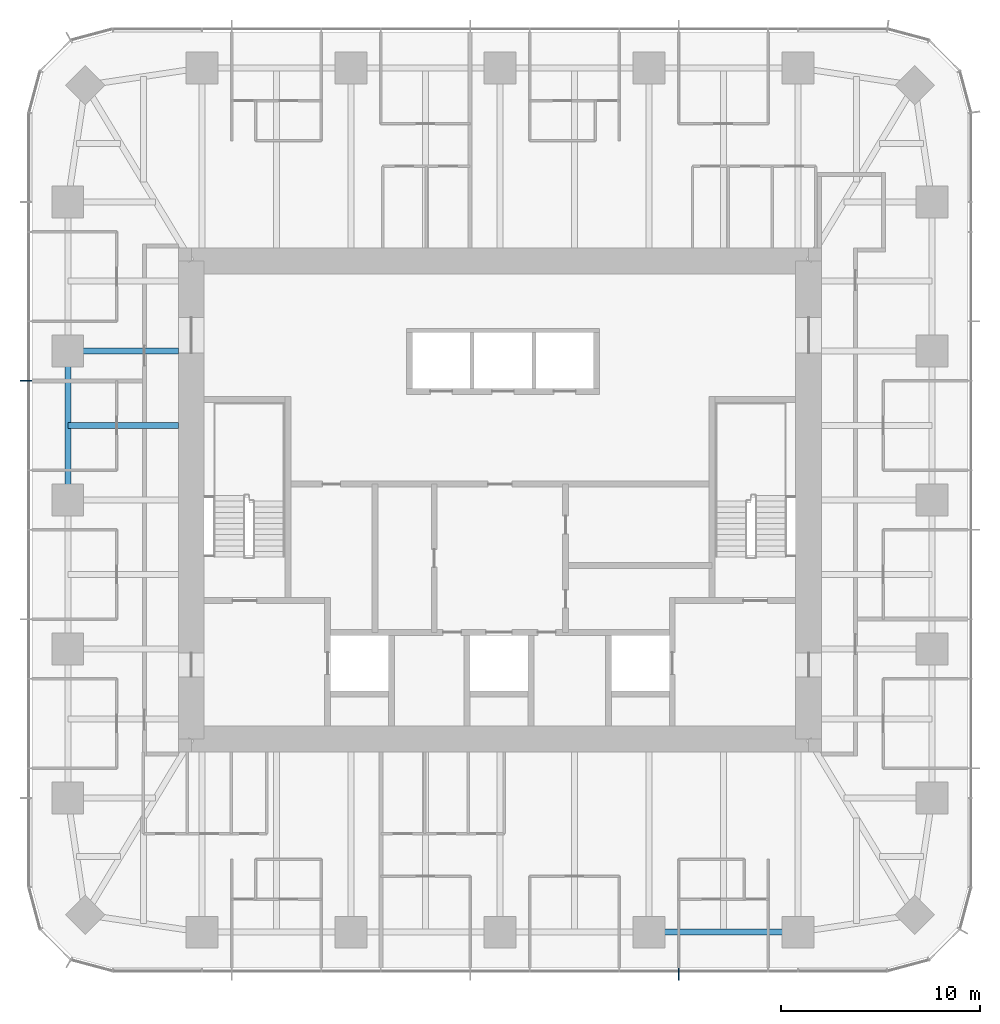
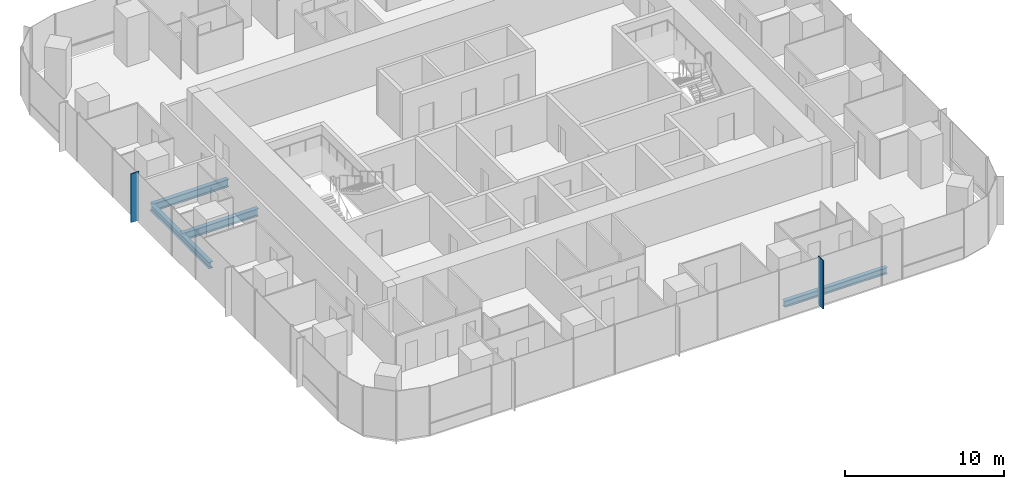
# One storey, part 3 of 12: 4 beams, 2 members, 2 elements without a shape of their own.
"""IFC4 building model written with IfcOpenShell, lengths in metres."""

from ifc_helpers import new_model, si_unit, direction, frame, origin, origin_2d, place, context, subcontext, project, spatial, rectangle, i_section, extrude, material, material_profile, profile_set, type_object, element, aggregate, save


model = new_model("IFC4")

# Units and contexts
model_context = context("Model", 3, precision=1e-05, world=origin(), true_north=direction((0.0, 1.0)))
body_context = subcontext(model_context, "Body", "Model", "MODEL_VIEW")
ifc_project = project(units=[si_unit("LENGTHUNIT", "METRE"), si_unit("AREAUNIT", "SQUARE_METRE"), si_unit("VOLUMEUNIT", "CUBIC_METRE"), si_unit("PLANEANGLEUNIT", "RADIAN"), si_unit("MASSUNIT", "GRAM", prefix="KILO")], contexts=[model_context])

# Site, building, storey
site_placement = place(None, origin())
site = spatial("IfcSite", under=ifc_project, at=site_placement, CompositionType="ELEMENT")
building_placement = place(site_placement, origin())
building = spatial("IfcBuilding", under=site, at=building_placement, Name="Khuree Lantern Residences", CompositionType="ELEMENT")
storey_placement = place(building_placement, frame((0.0, 0.0, 304.5)))
storey = spatial("IfcBuildingStorey", under=building, at=storey_placement, Name="L76", CompositionType="ELEMENT", Elevation=304.5)

# Beams
ifc_material_1 = material(Name="Steel S355", Category="steel")
ifc_material_profile_1 = material_profile(ifc_material_1, i_section(OverallWidth=0.300048828125, OverallDepth=0.590087890625, WebThickness=0.012939453125, FlangeThickness=0.02490234375, FilletRadius=0.027099609375, at=origin_2d()), Name="HE 600 A")
ifc_profile_set_1 = profile_set([ifc_material_profile_1], Name="Steel S355")
beam_type_1 = type_object("IfcBeamType", Name="B-42 SECONDARY BEAM HE 600 A", PredefinedType="BEAM", material=ifc_profile_set_1)
beam_1_placement = place(storey_placement, frame((-21.699951171875, 3.739990234375, -0.544921875), z_axis=(1.0, 0.0, 0.0), x_axis=(0.0, 1.0, 0.0)))
element("IfcBeam", 1, at=beam_1_placement, inside=storey, type_object=beam_type_1, Name="Secondary beam W4", PredefinedType="BEAM", context=body_context, shape_type="SweptSolid", body=[
    extrude(i_section(OverallWidth=0.300048828125, OverallDepth=0.590087890625, WebThickness=0.012939453125, FlangeThickness=0.02490234375, FilletRadius=0.027099609375, at=origin_2d()), origin(), (0.0, 0.0, 1.0), 5.550048828125),
])
ifc_material_profile_2 = material_profile(ifc_material_1, i_section(OverallWidth=0.300048828125, OverallDepth=0.489990234375, WebThickness=0.011962890625, FlangeThickness=0.02294921875, FilletRadius=0.027099609375, at=origin_2d()), Name="HE 500 A")
ifc_profile_set_2 = profile_set([ifc_material_profile_2], Name="Steel S355")
beam_type_2 = type_object("IfcBeamType", Name="E-42 SPANDREL BEAM HE 500 A", PredefinedType="SPANDREL", material=ifc_profile_set_2)
for number, where, z_axis, x_axis, name in (
    (2, (14.9599609375, -21.699951171875, -0.4951171875), (-1.0, 0.0, 0.0), (0.0, -1.0, 0.0), "Spandrel beam S2"),
    (3, (-21.699951171875, 0.0, -0.4951171875), (0.0, 1.0, 0.0), (-1.0, 0.0, 0.0), "Spandrel beam W4"),
):
    element("IfcBeam", number, at=place(storey_placement, frame(where, z_axis=z_axis, x_axis=x_axis)), inside=storey, type_object=beam_type_2, Name=name, PredefinedType="SPANDREL", context=body_context, shape_type="SweptSolid", body=[
        extrude(i_section(OverallWidth=0.300048828125, OverallDepth=0.489990234375, WebThickness=0.011962890625, FlangeThickness=0.02294921875, FilletRadius=0.027099609375, at=origin_2d()), origin(), (0.0, 0.0, 1.0), 7.47998046875),
    ])

# Curtain wall, member
ifc_material_2 = material(Name="Bronze anodised aluminium", Category="aluminium")
curtain_wall_type = type_object("IfcCurtainWallType", Name="CW-T1 TOWER FACE CURTAIN WALL", PredefinedType="USERDEFINED", material=ifc_material_2)
curtain_wall_1_placement = place(storey_placement, origin())
curtain_wall_1 = element("IfcCurtainWall", 4, at=curtain_wall_1_placement, inside=storey, type_object=curtain_wall_type, Name="L76 WEST FACE CURTAIN WALL", ObjectType="Stick-built curtain wall", PredefinedType="USERDEFINED")
ifc_material_profile_3 = material_profile(ifc_material_2, rectangle(XDim=0.06494140625, YDim=0.60009765625, at=origin_2d()), Name="F1 65X600")
ifc_profile_set_3 = profile_set([ifc_material_profile_3], Name="Bronze anodised aluminium")
member_type = type_object("IfcMemberType", Name="F1 BRONZE FIN MULLION TOWER 65X600", PredefinedType="MULLION", material=ifc_profile_set_3)
member_1_placement = place(storey_placement, frame((-23.800048828125, 5.98388671875, 0.0), z_axis=(0.0, 0.0, 1.0), x_axis=(0.0, -1.0, 0.0)))
member_1 = element("IfcMember", 5, at=member_1_placement, type_object=member_type, Name="L76 WEST FACE FIN MULLION 36", PredefinedType="MULLION", context=body_context, shape_type="SweptSolid", body=[
    extrude(rectangle(XDim=0.06494140625, YDim=0.60009765625, at=origin_2d()), origin(), (0.0, 0.0, 1.0), 3.75),
])
aggregate(curtain_wall_1, [member_1])

curtain_wall_2_placement = place(storey_placement, origin())
curtain_wall_2 = element("IfcCurtainWall", 6, at=curtain_wall_2_placement, inside=storey, type_object=curtain_wall_type, Name="L76 SOUTH FACE CURTAIN WALL", ObjectType="Stick-built curtain wall", PredefinedType="USERDEFINED")
member_2_placement = place(storey_placement, frame((8.97607421875, -23.800048828125, 0.0), z_axis=(0.0, 0.0, 1.0), x_axis=(1.0, 0.0, 0.0)))
member_2 = element("IfcMember", 7, at=member_2_placement, type_object=member_type, Name="L76 SOUTH FACE FIN MULLION 54", PredefinedType="MULLION", context=body_context, shape_type="SweptSolid", body=[
    extrude(rectangle(XDim=0.06494140625, YDim=0.60009765625, at=origin_2d()), origin(), (0.0, 0.0, 1.0), 3.75),
])
aggregate(curtain_wall_2, [member_2])

# Beam
ifc_material_profile_4 = material_profile(ifc_material_1, i_section(OverallWidth=0.300048828125, OverallDepth=0.60009765625, WebThickness=0.015380859375, FlangeThickness=0.030029296875, FilletRadius=0.027099609375, at=origin_2d()), Name="HE 600 B")
ifc_profile_set_4 = profile_set([ifc_material_profile_4], Name="Steel S355")
beam_type_3 = type_object("IfcBeamType", Name="G-42 GIRDER HE 600 B", PredefinedType="BEAM", material=ifc_profile_set_4)
beam_2_placement = place(storey_placement, frame((-21.699951171875, 7.47998046875, -0.550048828125), z_axis=(1.0, 0.0, 0.0), x_axis=(0.0, 1.0, 0.0)))
element("IfcBeam", 8, at=beam_2_placement, inside=storey, type_object=beam_type_3, Name="Girder W4", PredefinedType="BEAM", context=body_context, shape_type="SweptSolid", body=[
    extrude(i_section(OverallWidth=0.300048828125, OverallDepth=0.60009765625, WebThickness=0.015380859375, FlangeThickness=0.030029296875, FilletRadius=0.027099609375, at=origin_2d()), origin(), (0.0, 0.0, 1.0), 5.550048828125),
])

save(model, "model.ifc")
